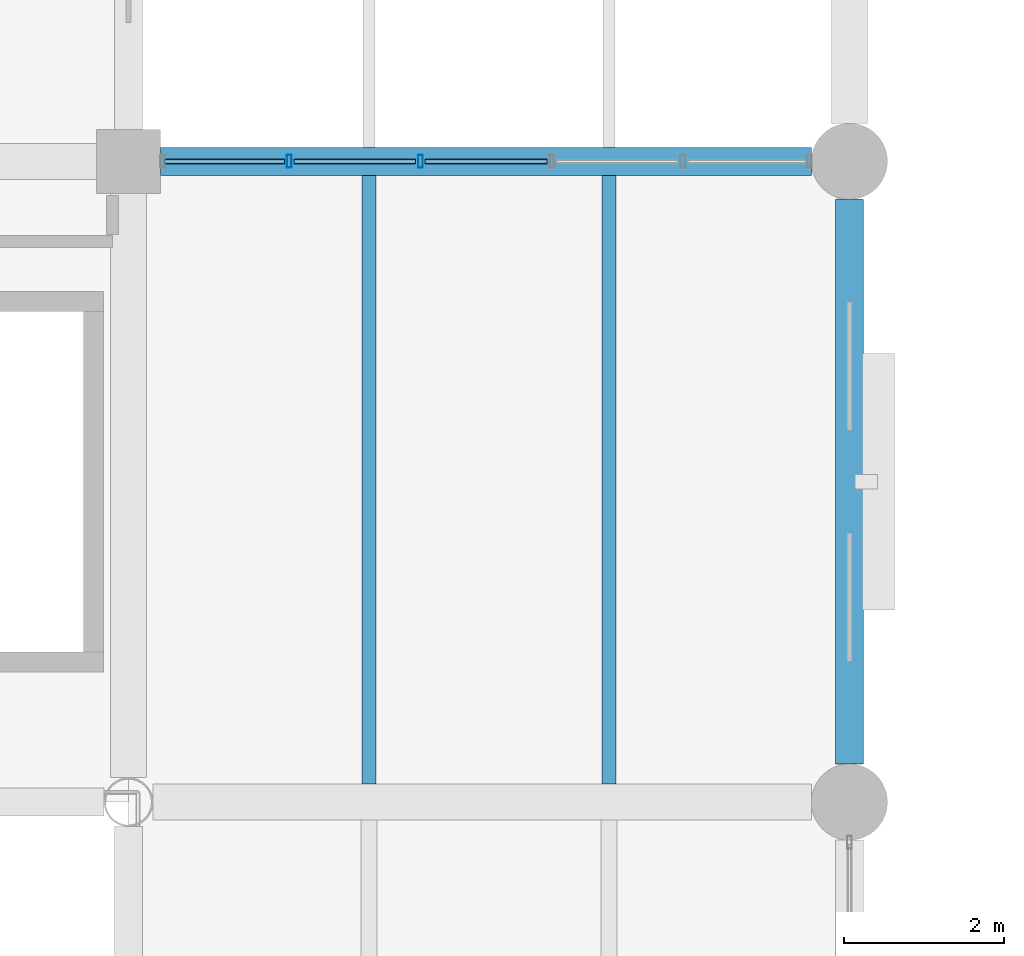
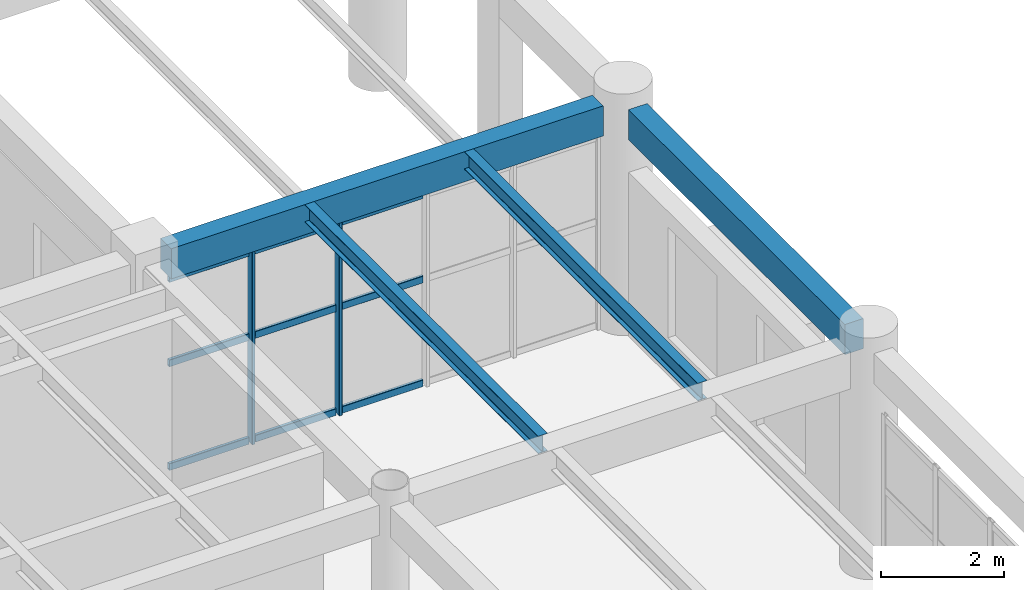
# One storey, part 99 of 178: 11 members, 4 beams, 1 element without a shape of its own.
"""IFC4 building model written with IfcOpenShell, lengths in metres."""

from ifc_helpers import new_model, si_unit, derived_unit, direction, frame, origin, origin_2d, place, context, subcontext, project, spatial, rectangle, hollow_rectangle, i_section, extrude, material, material_profile, profile_set, type_object, element, aggregate, save


model = new_model("IFC4")

# Units and contexts
model_context = context("Model", 3, precision=1e-05, world=origin(), true_north=direction((0.0, 1.0)))
body_context = subcontext(model_context, "Body", "Model", "MODEL_VIEW")
ifc_project = project(units=[si_unit("LENGTHUNIT", "METRE"), si_unit("AREAUNIT", "SQUARE_METRE"), si_unit("VOLUMEUNIT", "CUBIC_METRE"), si_unit("PLANEANGLEUNIT", "RADIAN"), si_unit("MASSUNIT", "GRAM", prefix="KILO"), derived_unit("THERMALTRANSMITTANCEUNIT", [(si_unit("MASSUNIT", "GRAM", prefix="KILO"), 1), (si_unit("TIMEUNIT", "SECOND"), -3), (si_unit("THERMODYNAMICTEMPERATUREUNIT", "KELVIN"), -1)])], contexts=[model_context])

# Site, building, storey
site_placement = place(None, origin())
site = spatial("IfcSite", under=ifc_project, at=site_placement, CompositionType="ELEMENT")
building_placement = place(site_placement, origin())
building = spatial("IfcBuilding", under=site, at=building_placement, Name="Zhenchuan Archway Interchange", CompositionType="ELEMENT")
storey_placement = place(building_placement, frame((0.0, 0.0, 5.39990234375)))
storey = spatial("IfcBuildingStorey", under=building, at=storey_placement, Name="L01", CompositionType="ELEMENT", Elevation=5.39990234375)

# Curtain wall, members
ifc_material_1 = material(Name="Anodised Aluminium", Category="aluminium")
curtain_wall_type = type_object("IfcCurtainWallType", Name="CW_UNIT_1", PredefinedType="NOTDEFINED", material=ifc_material_1)
curtain_wall_placement = place(storey_placement, origin())
curtain_wall = element("IfcCurtainWall", 1, at=curtain_wall_placement, inside=storey, type_object=curtain_wall_type, Name="Unitised curtain wall CW:L01:052", PredefinedType="NOTDEFINED")
ifc_material_profile_1 = material_profile(ifc_material_1, hollow_rectangle(XDim=0.06005859375, YDim=0.159912109375, WallThickness=0.00390625, InnerFilletRadius=0.00390625, OuterFilletRadius=0.008056640625, at=origin_2d()), Name="ALU 160x60x4")
ifc_profile_set_1 = profile_set([ifc_material_profile_1], Name="Anodised Aluminium")
member_type_1 = type_object("IfcMemberType", Name="CW_MUL_150", PredefinedType="MULLION", material=ifc_profile_set_1)
member_1_placement = place(storey_placement, frame((65.006103515625, 88.0, 0.0), z_axis=(0.0, 0.0, 1.0), x_axis=(1.0, 0.0, 0.0)))
member_1 = element("IfcMember", 2, at=member_1_placement, type_object=member_type_1, Name="CW:L01:052 mullion 1", PredefinedType="MULLION", context=body_context, shape_type="SweptSolid", body=[
    extrude(hollow_rectangle(XDim=0.06005859375, YDim=0.159912109375, WallThickness=0.00390625, InnerFilletRadius=0.00390625, OuterFilletRadius=0.008056640625, at=origin_2d()), origin(), (0.0, 0.0, 1.0), 3.880126953125),
])
member_2_placement = place(storey_placement, frame((66.64404296875, 88.0, 0.0), z_axis=(0.0, 0.0, 1.0), x_axis=(1.0, 0.0, 0.0)))
member_2 = element("IfcMember", 3, at=member_2_placement, type_object=member_type_1, Name="CW:L01:052 mullion 2", PredefinedType="MULLION", context=body_context, shape_type="SweptSolid", body=[
    extrude(hollow_rectangle(XDim=0.06005859375, YDim=0.159912109375, WallThickness=0.00390625, InnerFilletRadius=0.00390625, OuterFilletRadius=0.008056640625, at=origin_2d()), origin(), (0.0, 0.0, 1.0), 3.880126953125),
])
ifc_material_profile_2 = material_profile(ifc_material_1, hollow_rectangle(XDim=0.06005859375, YDim=0.139892578125, WallThickness=0.00341796875, InnerFilletRadius=0.00341796875, OuterFilletRadius=0.007080078125, at=origin_2d()), Name="ALU 140x60x3.5")
ifc_profile_set_2 = profile_set([ifc_material_profile_2], Name="Anodised Aluminium")
member_type_2 = type_object("IfcMemberType", Name="CW_TRN_140", PredefinedType="USERDEFINED", material=ifc_profile_set_2)
member_3_placement = place(storey_placement, frame((63.447998046875, 88.0, 0.06005859375), z_axis=(1.0, 0.0, 0.0), x_axis=(0.0, 1.0, 0.0)))
member_3 = element("IfcMember", 4, at=member_3_placement, type_object=member_type_2, Name="CW:L01:052 transom 0-1", ObjectType="TRANSOM", PredefinedType="USERDEFINED", context=body_context, shape_type="SweptSolid", body=[
    extrude(hollow_rectangle(XDim=0.06005859375, YDim=0.139892578125, WallThickness=0.00341796875, InnerFilletRadius=0.00341796875, OuterFilletRadius=0.007080078125, at=origin_2d()), origin(), (0.0, 0.0, 1.0), 1.498046875),
])
member_4_placement = place(storey_placement, frame((63.447998046875, 88.0, 2.123046875), z_axis=(1.0, 0.0, 0.0), x_axis=(0.0, 1.0, 0.0)))
member_4 = element("IfcMember", 5, at=member_4_placement, type_object=member_type_2, Name="CW:L01:052 transom 0-2", ObjectType="TRANSOM", PredefinedType="USERDEFINED", context=body_context, shape_type="SweptSolid", body=[
    extrude(hollow_rectangle(XDim=0.06005859375, YDim=0.139892578125, WallThickness=0.00341796875, InnerFilletRadius=0.00341796875, OuterFilletRadius=0.007080078125, at=origin_2d()), origin(), (0.0, 0.0, 1.0), 1.498046875),
])
member_5_placement = place(storey_placement, frame((63.447998046875, 88.0, 3.800048828125), z_axis=(1.0, 0.0, 0.0), x_axis=(0.0, 1.0, 0.0)))
member_5 = element("IfcMember", 6, at=member_5_placement, type_object=member_type_2, Name="CW:L01:052 transom 0-3", ObjectType="TRANSOM", PredefinedType="USERDEFINED", context=body_context, shape_type="SweptSolid", body=[
    extrude(hollow_rectangle(XDim=0.06005859375, YDim=0.139892578125, WallThickness=0.00341796875, InnerFilletRadius=0.00341796875, OuterFilletRadius=0.007080078125, at=origin_2d()), origin(), (0.0, 0.0, 1.0), 1.498046875),
])
member_6_placement = place(storey_placement, frame((65.06591796875, 88.0, 0.06005859375), z_axis=(1.0, 0.0, 0.0), x_axis=(0.0, 1.0, 0.0)))
member_6 = element("IfcMember", 7, at=member_6_placement, type_object=member_type_2, Name="CW:L01:052 transom 1-1", ObjectType="TRANSOM", PredefinedType="USERDEFINED", context=body_context, shape_type="SweptSolid", body=[
    extrude(hollow_rectangle(XDim=0.06005859375, YDim=0.139892578125, WallThickness=0.00341796875, InnerFilletRadius=0.00341796875, OuterFilletRadius=0.007080078125, at=origin_2d()), origin(), (0.0, 0.0, 1.0), 1.51806640625),
])
member_7_placement = place(storey_placement, frame((65.06591796875, 88.0, 2.123046875), z_axis=(1.0, 0.0, 0.0), x_axis=(0.0, 1.0, 0.0)))
member_7 = element("IfcMember", 8, at=member_7_placement, type_object=member_type_2, Name="CW:L01:052 transom 1-2", ObjectType="TRANSOM", PredefinedType="USERDEFINED", context=body_context, shape_type="SweptSolid", body=[
    extrude(hollow_rectangle(XDim=0.06005859375, YDim=0.139892578125, WallThickness=0.00341796875, InnerFilletRadius=0.00341796875, OuterFilletRadius=0.007080078125, at=origin_2d()), origin(), (0.0, 0.0, 1.0), 1.51806640625),
])
member_8_placement = place(storey_placement, frame((65.06591796875, 88.0, 3.800048828125), z_axis=(1.0, 0.0, 0.0), x_axis=(0.0, 1.0, 0.0)))
member_8 = element("IfcMember", 9, at=member_8_placement, type_object=member_type_2, Name="CW:L01:052 transom 1-3", ObjectType="TRANSOM", PredefinedType="USERDEFINED", context=body_context, shape_type="SweptSolid", body=[
    extrude(hollow_rectangle(XDim=0.06005859375, YDim=0.139892578125, WallThickness=0.00341796875, InnerFilletRadius=0.00341796875, OuterFilletRadius=0.007080078125, at=origin_2d()), origin(), (0.0, 0.0, 1.0), 1.51806640625),
])
member_9_placement = place(storey_placement, frame((66.7041015625, 88.0, 0.06005859375), z_axis=(1.0, 0.0, 0.0), x_axis=(0.0, 1.0, 0.0)))
member_9 = element("IfcMember", 10, at=member_9_placement, type_object=member_type_2, Name="CW:L01:052 transom 2-1", ObjectType="TRANSOM", PredefinedType="USERDEFINED", context=body_context, shape_type="SweptSolid", body=[
    extrude(hollow_rectangle(XDim=0.06005859375, YDim=0.139892578125, WallThickness=0.00341796875, InnerFilletRadius=0.00341796875, OuterFilletRadius=0.007080078125, at=origin_2d()), origin(), (0.0, 0.0, 1.0), 1.517822265625),
])
member_10_placement = place(storey_placement, frame((66.7041015625, 88.0, 2.123046875), z_axis=(1.0, 0.0, 0.0), x_axis=(0.0, 1.0, 0.0)))
member_10 = element("IfcMember", 11, at=member_10_placement, type_object=member_type_2, Name="CW:L01:052 transom 2-2", ObjectType="TRANSOM", PredefinedType="USERDEFINED", context=body_context, shape_type="SweptSolid", body=[
    extrude(hollow_rectangle(XDim=0.06005859375, YDim=0.139892578125, WallThickness=0.00341796875, InnerFilletRadius=0.00341796875, OuterFilletRadius=0.007080078125, at=origin_2d()), origin(), (0.0, 0.0, 1.0), 1.517822265625),
])
member_11_placement = place(storey_placement, frame((66.7041015625, 88.0, 3.800048828125), z_axis=(1.0, 0.0, 0.0), x_axis=(0.0, 1.0, 0.0)))
member_11 = element("IfcMember", 12, at=member_11_placement, type_object=member_type_2, Name="CW:L01:052 transom 2-3", ObjectType="TRANSOM", PredefinedType="USERDEFINED", context=body_context, shape_type="SweptSolid", body=[
    extrude(hollow_rectangle(XDim=0.06005859375, YDim=0.139892578125, WallThickness=0.00341796875, InnerFilletRadius=0.00341796875, OuterFilletRadius=0.007080078125, at=origin_2d()), origin(), (0.0, 0.0, 1.0), 1.517822265625),
])
aggregate(curtain_wall, [member_1, member_2, member_3, member_4, member_5, member_6, member_7, member_8, member_9, member_10, member_11])

# Beams
ifc_material_2 = material(Name="Steel Q355", Category="steel")
ifc_material_profile_3 = material_profile(ifc_material_2, i_section(OverallWidth=0.175048828125, OverallDepth=0.35009765625, WebThickness=0.007080078125, FlangeThickness=0.010986328125, FilletRadius=0.013916015625, at=origin_2d()), Name="HN 350x175")
ifc_profile_set_3 = profile_set([ifc_material_profile_3], Name="Steel Q355")
beam_type_1 = type_object("IfcBeamType", Name="JST_STL_HN350", PredefinedType="JOIST", material=ifc_profile_set_3)
for number, where, z_axis, x_axis, name in (
    (13, (66.0, 80.22509765625, 4.335205078125), (0.0, 1.0, 0.0), (-1.0, 0.0, 0.0), "Secondary joist 8-9/L-M #1 (L01)"),
    (14, (69.0, 80.22509765625, 4.335205078125), (0.0, 1.0, 0.0), (-1.0, 0.0, 0.0), "Secondary joist 8-9/L-M #2 (L01)"),
):
    element("IfcBeam", number, at=place(storey_placement, frame(where, z_axis=z_axis, x_axis=x_axis)), inside=storey, type_object=beam_type_1, Name=name, PredefinedType="JOIST", context=body_context, shape_type="SweptSolid", body=[
        extrude(i_section(OverallWidth=0.175048828125, OverallDepth=0.35009765625, WebThickness=0.007080078125, FlangeThickness=0.010986328125, FilletRadius=0.013916015625, at=origin_2d()), origin(), (0.0, 0.0, 1.0), 7.599853515625),
    ])
ifc_material_3 = material(Name="Concrete C40", Category="concrete")
ifc_material_profile_4 = material_profile(ifc_material_3, rectangle(XDim=0.35009765625, YDim=0.60009765625, at=origin_2d()), Name="RC 350x600")
ifc_profile_set_4 = profile_set([ifc_material_profile_4], Name="Concrete C40")
beam_type_2 = type_object("IfcBeamType", Name="SP_RC_350x600", PredefinedType="SPANDREL", material=ifc_profile_set_4)
beam_1_placement = place(storey_placement, frame((63.39990234375, 88.0, 4.210205078125), z_axis=(1.0, 0.0, 0.0), x_axis=(0.0, 1.0, 0.0)))
element("IfcBeam", 15, at=beam_1_placement, inside=storey, type_object=beam_type_2, Name="Beam M:8-9 (L01)", PredefinedType="SPANDREL", context=body_context, shape_type="SweptSolid", body=[
    extrude(rectangle(XDim=0.35009765625, YDim=0.60009765625, at=origin_2d()), origin(), (0.0, 0.0, 1.0), 8.125),
])
beam_2_placement = place(storey_placement, frame((72.0, 80.47509765625, 4.210205078125), z_axis=(0.0, 1.0, 0.0), x_axis=(-1.0, 0.0, 0.0)))
element("IfcBeam", 16, at=beam_2_placement, inside=storey, type_object=beam_type_2, Name="Beam 9:L-M (L01)", PredefinedType="SPANDREL", context=body_context, shape_type="SweptSolid", body=[
    extrude(rectangle(XDim=0.35009765625, YDim=0.60009765625, at=origin_2d()), origin(), (0.0, 0.0, 1.0), 7.0498046875),
])

save(model, "model.ifc")
